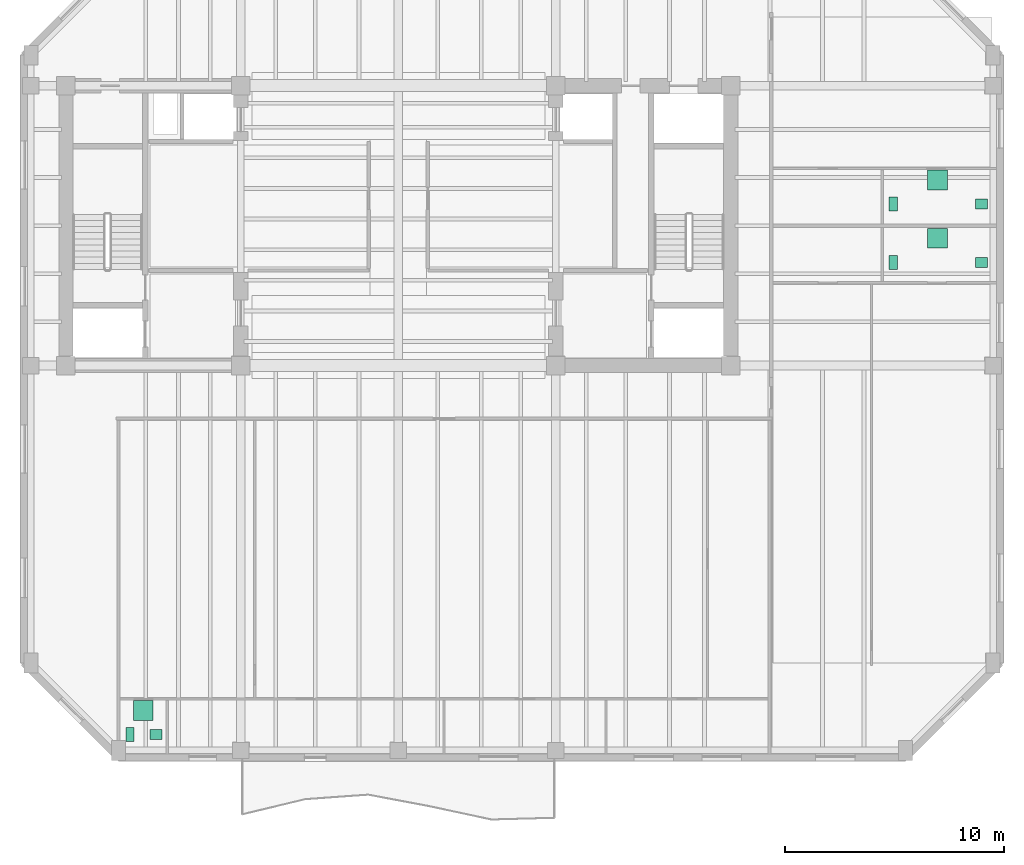
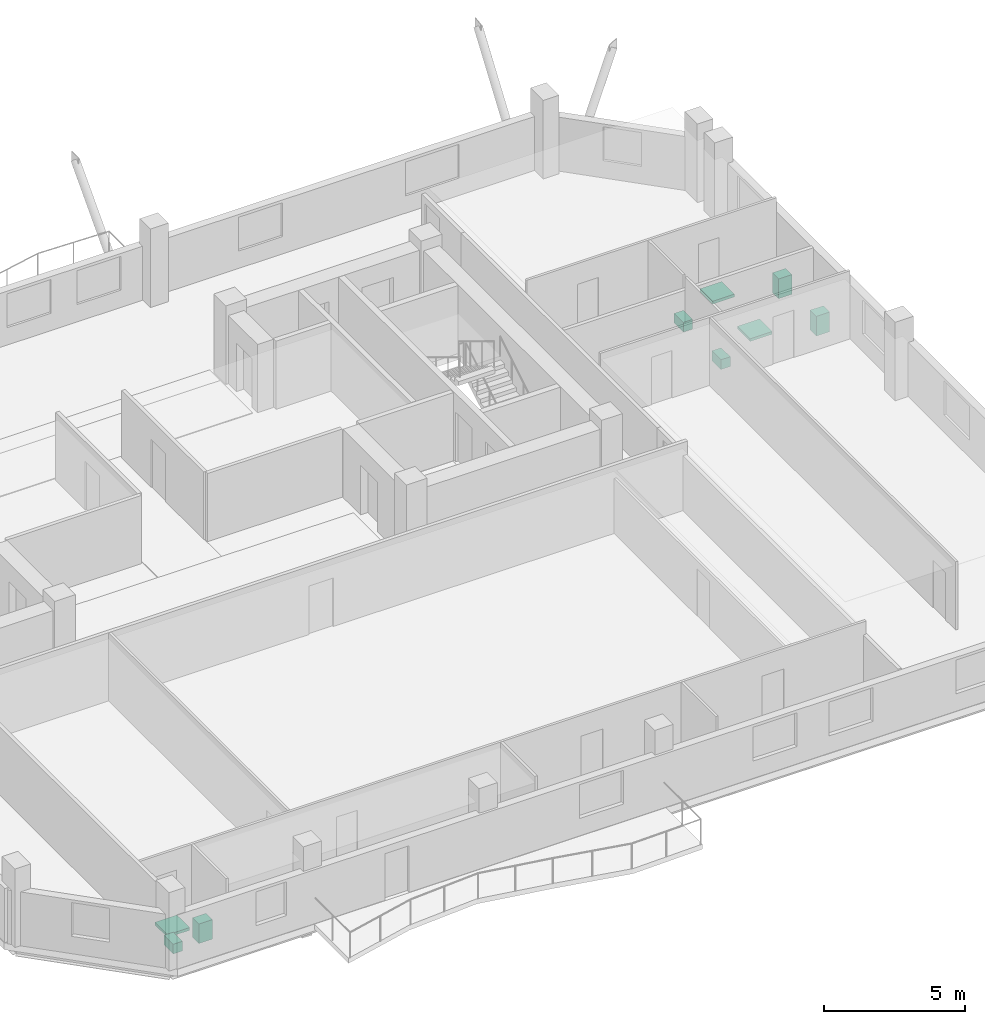
# One storey, part 11 of 11: 9 sanitary terminals.
"""IFC4 building model written with IfcOpenShell, lengths in metres."""

from ifc_helpers import new_model, si_unit, direction, frame, origin, origin_2d, place, context, subcontext, project, spatial, rectangle, extrude, material, type_object, element, save


model = new_model("IFC4")

# Units and contexts
model_context = context("Model", 3, precision=1e-05, world=origin(), true_north=direction((0.0, 1.0)))
body_context = subcontext(model_context, "Body", "Model", "MODEL_VIEW")
ifc_project = project(units=[si_unit("LENGTHUNIT", "METRE"), si_unit("AREAUNIT", "SQUARE_METRE"), si_unit("VOLUMEUNIT", "CUBIC_METRE"), si_unit("PLANEANGLEUNIT", "RADIAN"), si_unit("MASSUNIT", "GRAM", prefix="KILO")], contexts=[model_context])

# Site, building, storey
site_placement = place(None, origin())
site = spatial("IfcSite", under=ifc_project, at=site_placement, CompositionType="ELEMENT")
building_placement = place(site_placement, origin())
building = spatial("IfcBuilding", under=site, at=building_placement, Name="Kranthara Brick Stack", CompositionType="ELEMENT")
storey_placement = place(building_placement, frame((0.0, 0.0, 244.89990234375)))
storey = spatial("IfcBuildingStorey", under=building, at=storey_placement, Name="L64", CompositionType="ELEMENT", Elevation=244.89990234375)

# Sanitary terminals
ifc_material_1 = material(Name="Vitreous china sanitary porcelain", Category="other")
sanitary_terminal_type_1 = type_object("IfcSanitaryTerminalType", Name="SAN-BASIN", PredefinedType="WASHHANDBASIN", material=ifc_material_1)
for number, where, z_axis, x_axis, name in (
    (1, (16.929931640625, 3.925048828125, 0.0), (0.0, 0.0, 1.0), (1.0, 0.0, 0.0), "L64 Washbasin 340"),
    (2, (54.679931640625, 25.514892578125, 0.0), (0.0, 0.0, 1.0), (1.0, 0.0, 0.0), "L64 Washbasin 341"),
    (3, (54.679931640625, 28.18505859375, 0.0), (0.0, 0.0, 1.0), (1.0, 0.0, 0.0), "L64 Washbasin 342"),
):
    element("IfcSanitaryTerminal", number, at=place(storey_placement, frame(where, z_axis=z_axis, x_axis=x_axis)), inside=storey, type_object=sanitary_terminal_type_1, Name=name, PredefinedType="WASHHANDBASIN", context=body_context, shape_type="SweptSolid", body=[
        extrude(rectangle(XDim=0.550048828125, YDim=0.449951171875, at=origin_2d()), origin(), (0.0, 0.0, 1.0), 0.85009765625),
    ])
ifc_material_2 = material(Name="Acrylic and porcelain shower tray", Category="other")
sanitary_terminal_type_2 = type_object("IfcSanitaryTerminalType", Name="SAN-SHOWER", PredefinedType="SHOWER", material=ifc_material_2)
for number, where, z_axis, x_axis, name in (
    (4, (16.330078125, 5.030029296875, 0.0), (0.0, 0.0, 1.0), (1.0, 0.0, 0.0), "L64 Shower Tray 340"),
    (5, (52.656982421875, 26.6201171875, 0.0), (0.0, 0.0, 1.0), (1.0, 0.0, 0.0), "L64 Shower Tray 341"),
    (6, (52.656982421875, 29.2900390625, 0.0), (0.0, 0.0, 1.0), (1.0, 0.0, 0.0), "L64 Shower Tray 342"),
):
    element("IfcSanitaryTerminal", number, at=place(storey_placement, frame(where, z_axis=z_axis, x_axis=x_axis)), inside=storey, type_object=sanitary_terminal_type_2, Name=name, PredefinedType="SHOWER", context=body_context, shape_type="SweptSolid", body=[
        extrude(rectangle(XDim=0.89990234375, YDim=0.89990234375, at=origin_2d()), origin(), (0.0, 0.0, 1.0), 0.1201171875),
    ])
ifc_material_3 = material(Name="Vitreous china sanitary porcelain", Category="other")
sanitary_terminal_type_3 = type_object("IfcSanitaryTerminalType", Name="SAN-WC-PAN", PredefinedType="TOILETPAN", material=ifc_material_3)
for number, where, z_axis, x_axis, name in (
    (7, (15.72998046875, 3.925048828125, 0.000244140625), (0.0, 0.0, 1.0), (1.0, 0.0, 0.0), "L64 WC Pan 340"),
    (8, (50.635009765625, 25.514892578125, 0.000244140625), (0.0, 0.0, 1.0), (1.0, 0.0, 0.0), "L64 WC Pan 341"),
    (9, (50.635009765625, 28.18505859375, 0.000244140625), (0.0, 0.0, 1.0), (1.0, 0.0, 0.0), "L64 WC Pan 342"),
):
    element("IfcSanitaryTerminal", number, at=place(storey_placement, frame(where, z_axis=z_axis, x_axis=x_axis)), inside=storey, type_object=sanitary_terminal_type_3, Name=name, PredefinedType="TOILETPAN", context=body_context, shape_type="SweptSolid", body=[
        extrude(rectangle(XDim=0.3798828125, YDim=0.64990234375, at=origin_2d()), origin(), (0.0, 0.0, 1.0), 0.419921875),
    ])

save(model, "model.ifc")
